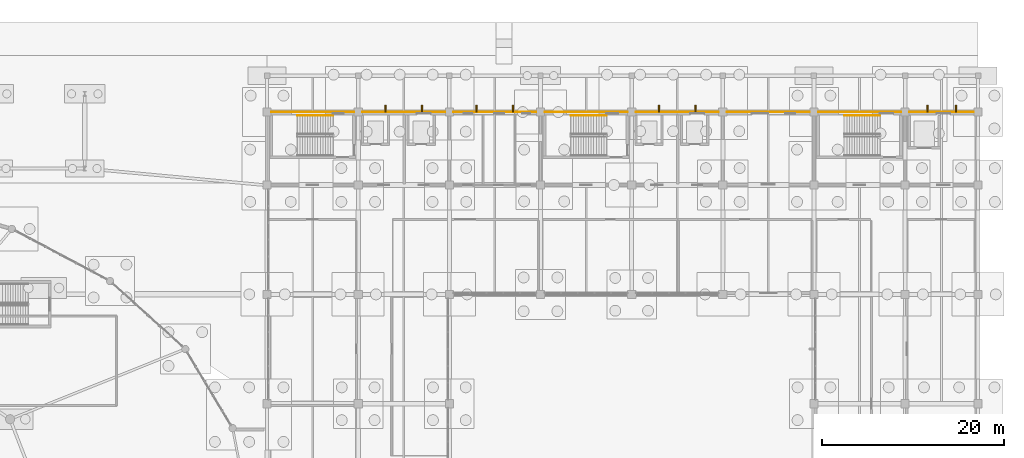
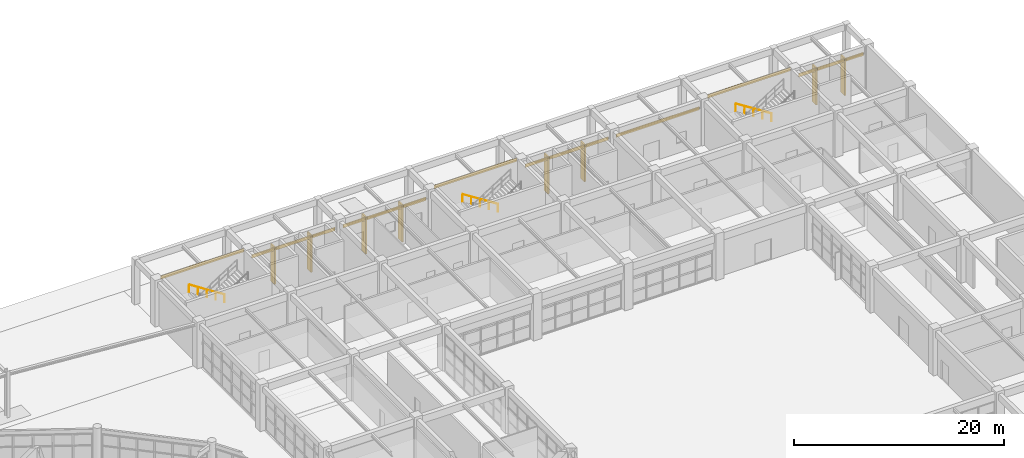
# One storey, part 98 of 99: 8 coverings, 8 shading devices, 3 railings.
"""IFC4 building model written with IfcOpenShell, lengths in metres."""

import ifcopenshell
import ifcopenshell.guid

model = None  # the IFC model being written
_history = None  # IfcOwnerHistory: only IFC2X3 demands one
_inside = {}  # id of a spatial element -> (the spatial element, [elements in it])
_under = {}  # id of a project, library or spatial element -> (it, [spatial elements below it])
_declared = {}  # id of a project -> (the project, [libraries it declares])
_typed = {}  # id of a type object -> (the type object, [elements of that type])
_made_of = {}  # id of a material, layer set ... -> (it, [elements and type objects made of it])


def new_model(schema):
    """Start an empty IFC model of exactly this schema.

    Asked for "IFC4X3", IfcOpenShell would pick the latest addendum, in which some entities
    have other attributes; the version numbers below select the first issue.
    IFC2X3 requires an IfcOwnerHistory on every rooted entity: one is made here for all.
    """
    global model, _history
    if schema == "IFC4X3":
        model = ifcopenshell.file(schema_version=(4, 3, 0, 0))
    else:
        model = ifcopenshell.file(schema=schema)
    _inside.clear()
    _under.clear()
    _declared.clear()
    _typed.clear()
    _made_of.clear()
    _history = None
    if model.schema == "IFC2X3":
        org = make("IfcOrganization", Name="unknown")
        user = make(
            "IfcPersonAndOrganization",
            ThePerson=make("IfcPerson", FamilyName="unknown"),
            TheOrganization=org,
        )
        app = make(
            "IfcApplication",
            ApplicationDeveloper=org,
            Version="unknown",
            ApplicationFullName="unknown",
            ApplicationIdentifier="unknown",
        )
        _history = make(
            "IfcOwnerHistory",
            OwningUser=user,
            OwningApplication=app,
            ChangeAction="ADDED",
            CreationDate=0,
        )
    return model


def make(cls, **values):
    """One entity of the class cls with the attributes given. An attribute that is None is left unset."""
    return model.create_entity(
        cls, **{name: value for name, value in values.items() if value is not None}
    )


def rooted(cls, **values):
    """An entity with a GlobalId (a new one), such as an element, a storey or a relation."""
    return make(cls, GlobalId=ifcopenshell.guid.new(), OwnerHistory=_history, **values)


def si_unit(unit_type, name, prefix=None):
    """IfcSIUnit, for example si_unit("LENGTHUNIT", "METRE", prefix="MILLI")."""
    return make("IfcSIUnit", UnitType=unit_type, Prefix=prefix, Name=name)


def assignment(units):
    """IfcUnitAssignment: the units of a project."""
    return None if units is None else make("IfcUnitAssignment", Units=units)


def point(xyz):
    """IfcCartesianPoint."""
    return None if xyz is None else make("IfcCartesianPoint", Coordinates=xyz)


def direction(xyz):
    """IfcDirection."""
    return None if xyz is None else make("IfcDirection", DirectionRatios=xyz)


def frame(location, z_axis=None, x_axis=None):
    """IfcAxis2Placement3D, a coordinate frame: its origin and axes. An axis left out is left unset."""
    return make(
        "IfcAxis2Placement3D",
        Location=point(location),
        Axis=direction(z_axis),
        RefDirection=direction(x_axis),
    )


def frame_2d(location, x_axis=None):
    """IfcAxis2Placement2D, a coordinate frame in the plane: its origin and x axis."""
    return make(
        "IfcAxis2Placement2D", Location=point(location), RefDirection=direction(x_axis)
    )


def origin():
    """The frame at (0, 0, 0) with its axes left unset."""
    return frame((0.0, 0.0, 0.0))


def origin_2d():
    """The frame at (0, 0) in the plane with its x axis left unset."""
    return frame_2d((0.0, 0.0))


def place(relative_to, where):
    """IfcLocalPlacement: puts the frame where relative to a parent placement (None: the world)."""
    return make(
        "IfcLocalPlacement", PlacementRelTo=relative_to, RelativePlacement=where
    )


def context(
    kind, dimensions, precision=None, world=None, true_north=None, identifier=None
):
    """IfcGeometricRepresentationContext, for example the 3D "Model" context."""
    return make(
        "IfcGeometricRepresentationContext",
        ContextIdentifier=identifier,
        ContextType=kind,
        CoordinateSpaceDimension=dimensions,
        Precision=precision,
        WorldCoordinateSystem=world,
        TrueNorth=true_north,
    )


def subcontext(parent, identifier, kind, view, scale=None):
    """IfcGeometricRepresentationSubContext, for example "Body" below "Model"."""
    return make(
        "IfcGeometricRepresentationSubContext",
        ContextIdentifier=identifier,
        ContextType=kind,
        ParentContext=parent,
        TargetScale=scale,
        TargetView=view,
    )


def project(units=None, contexts=None):
    """IfcProject with its units and contexts."""
    return rooted(
        "IfcProject",
        Name="project",
        RepresentationContexts=contexts,
        UnitsInContext=assignment(units),
    )


def spatial(cls, under=None, at=None, **own):
    """A site, building, storey or space (cls), placed at a placement, below another one or the project."""
    s = rooted(cls, ObjectPlacement=at, **own)
    if under is not None:
        _under.setdefault(under.id(), (under, []))[1].append(s)
    return s


def profile(cls, at=None, kind="AREA", **sizes):
    """A parametric profile (cls). Its sizes go by their IFC names, for example OverallWidth=200.0."""
    return make(cls, ProfileType=kind, Position=at, **sizes)


def rectangle(**sizes):
    """IfcRectangleProfileDef."""
    return profile("IfcRectangleProfileDef", **sizes)


def circle(**sizes):
    """IfcCircleProfileDef."""
    return profile("IfcCircleProfileDef", **sizes)


def extrude(swept, where, along, depth):
    """IfcExtrudedAreaSolid: the profile swept, set in the frame where, extruded along a direction by depth."""
    return make(
        "IfcExtrudedAreaSolid",
        SweptArea=swept,
        Position=where,
        ExtrudedDirection=direction(along),
        Depth=depth,
    )


def shape(context_of_items, identifier, shape_type, items):
    """IfcShapeRepresentation: the items that make up one representation, for example the "Body"."""
    return make(
        "IfcShapeRepresentation",
        ContextOfItems=context_of_items,
        RepresentationIdentifier=identifier,
        RepresentationType=shape_type,
        Items=items,
    )


def material(Name=None, Category=None):
    """IfcMaterial."""
    return make("IfcMaterial", Name=Name, Category=Category)


def layer(
    of_material, thickness, ventilated=None, Name=None, Category=None, Priority=None
):
    """IfcMaterialLayer: one layer of a wall or slab, of a material (None: an air gap)."""
    return make(
        "IfcMaterialLayer",
        Material=of_material,
        LayerThickness=thickness,
        IsVentilated=ventilated,
        Name=Name,
        Category=Category,
        Priority=Priority,
    )


def layer_set(layers, Name=None):
    """IfcMaterialLayerSet."""
    return make("IfcMaterialLayerSet", MaterialLayers=layers, LayerSetName=Name)


def made_of(thing, what):
    """Note that an element or type object is made of a material, layer set ...; save() writes the relation."""
    if what is not None:
        _made_of.setdefault(what.id(), (what, []))[1].append(thing)
    return thing


def type_object(cls, material=None, **own):
    """A type object (cls), such as IfcWallType, which elements share."""
    return made_of(rooted(cls, **own), material)


def element(
    cls,
    number,
    at=None,
    inside=None,
    cuts=None,
    type_object=None,
    material=None,
    context=None,
    identifier="Body",
    shape_type=None,
    held_by="IfcProductDefinitionShape",
    body=None,
    shapes=None,
    **own,
):
    """One element of the class cls, such as IfcWall. Its Tag is "e" and its number.

    at: its placement. inside: the storey or other place that contains it. cuts: it is an
    opening in that element (IfcRelVoidsElement). A single representation is given by context,
    identifier, shape_type and body (its items); several are given by shapes. held_by: the class
    of the entity that holds the representations. save() writes the other relations.
    """
    e = rooted(cls, Tag="e%d" % number, ObjectPlacement=at, **own)
    if body is not None:
        shapes = [shape(context, identifier, shape_type, body)]
    if shapes is not None:
        e.Representation = make(held_by, Representations=shapes)
    if inside is not None:
        _inside.setdefault(inside.id(), (inside, []))[1].append(e)
    if cuts is not None:
        rooted(
            "IfcRelVoidsElement", RelatingBuildingElement=cuts, RelatedOpeningElement=e
        )
    if type_object is not None:
        _typed.setdefault(type_object.id(), (type_object, []))[1].append(e)
    return made_of(e, material)


def aggregate(whole, parts):
    """IfcRelAggregates: a whole, such as a stair, and the parts it consists of."""
    return rooted("IfcRelAggregates", RelatingObject=whole, RelatedObjects=parts)


def save(model, path):
    """Write the relations noted so far, then the file.

    IfcRelAggregates (storeys below a building ...), IfcRelContainedInSpatialStructure (elements
    in a storey), IfcRelDefinesByType, IfcRelAssociatesMaterial and IfcRelDeclares: one each for
    every whole, place, type object, material and project.
    """
    for whole, parts in _under.values():
        aggregate(whole, parts)
    for where, things in _inside.values():
        rooted(
            "IfcRelContainedInSpatialStructure",
            RelatedElements=things,
            RelatingStructure=where,
        )
    for kind, things in _typed.values():
        rooted("IfcRelDefinesByType", RelatedObjects=things, RelatingType=kind)
    for what, things in _made_of.values():
        rooted("IfcRelAssociatesMaterial", RelatedObjects=things, RelatingMaterial=what)
    for by, libraries in _declared.values():
        rooted("IfcRelDeclares", RelatingContext=by, RelatedDefinitions=libraries)
    model.write(path)


model = new_model("IFC4")

# Units and contexts
model_context = context("Model", 3, precision=1e-05, world=origin(), true_north=direction((0.0, 1.0)))
body_context = subcontext(model_context, "Body", "Model", "MODEL_VIEW")
ifc_project = project(units=[si_unit("LENGTHUNIT", "METRE"), si_unit("AREAUNIT", "SQUARE_METRE"), si_unit("VOLUMEUNIT", "CUBIC_METRE"), si_unit("PLANEANGLEUNIT", "RADIAN"), si_unit("MASSUNIT", "GRAM", prefix="KILO")], contexts=[model_context])

# Site, building, storey
site_placement = place(None, origin())
site = spatial("IfcSite", under=ifc_project, at=site_placement, CompositionType="ELEMENT")
building_placement = place(site_placement, origin())
building = spatial("IfcBuilding", under=site, at=building_placement, Name="Kivolera Central Railway Station", CompositionType="ELEMENT")
storey_placement = place(building_placement, origin())
storey = spatial("IfcBuildingStorey", under=building, at=storey_placement, Name="L00", CompositionType="ELEMENT", Elevation=0.0)

# Shading devices
ifc_material_1 = material(Name="Precast concrete C40/50", Category="concrete")
shading_device_type = type_object("IfcShadingDeviceType", Name="BS-FIN-L00", PredefinedType="USERDEFINED", material=ifc_material_1)
for number, where, z_axis, x_axis, name in (
    (1, (130.99609375, 134.366943359375, 0.0), (0.0, 0.0, 1.0), (1.0, 0.0, 0.0), "L00 North Brise-Soleil Fin 2.1"),
    (2, (135.00390625, 134.366943359375, 0.0), (0.0, 0.0, 1.0), (1.0, 0.0, 0.0), "L00 North Brise-Soleil Fin 2.2"),
    (3, (140.99609375, 134.366943359375, 0.0), (0.0, 0.0, 1.0), (1.0, 0.0, 0.0), "L00 North Brise-Soleil Fin 3.1"),
    (4, (145.00390625, 134.366943359375, 0.0), (0.0, 0.0, 1.0), (1.0, 0.0, 0.0), "L00 North Brise-Soleil Fin 3.2"),
    (5, (160.99609375, 134.366943359375, 0.0), (0.0, 0.0, 1.0), (1.0, 0.0, 0.0), "L00 North Brise-Soleil Fin 5.1"),
    (6, (165.00390625, 134.366943359375, 0.0), (0.0, 0.0, 1.0), (1.0, 0.0, 0.0), "L00 North Brise-Soleil Fin 5.2"),
    (7, (190.43603515625, 134.366943359375, 0.0), (0.0, 0.0, 1.0), (1.0, 0.0, 0.0), "L00 North Brise-Soleil Fin 8.1"),
    (8, (193.56396484375, 134.366943359375, 0.0), (0.0, 0.0, 1.0), (1.0, 0.0, 0.0), "L00 North Brise-Soleil Fin 8.2"),
):
    element("IfcShadingDevice", number, at=place(storey_placement, frame(where, z_axis=z_axis, x_axis=x_axis)), inside=storey, type_object=shading_device_type, Name=name, ObjectType="FIN", PredefinedType="USERDEFINED", context=body_context, shape_type="SweptSolid", body=[
        extrude(rectangle(XDim=0.159912109375, YDim=0.75, at=origin_2d()), origin(), (0.0, 0.0, 1.0), 4.300048828125),
    ])

# Coverings
ifc_material_2 = material(Name="Terracotta clay tile", Category="masonry")
ifc_layer_1 = layer(ifc_material_2, 0.044921875, Name="Terracotta clay tile")
ifc_layer_set_1 = layer_set([ifc_layer_1], Name="Terracotta clay tile")
covering_type = type_object("IfcCoveringType", Name="COV-TERRACOTTA-45", PredefinedType="CLADDING", material=ifc_layer_set_1)
covering_1_placement = place(storey_placement, frame((118.445068359375, 134.02001953125, 4.969970703125), z_axis=(0.0, 0.0, 1.0), x_axis=(1.0, 0.0, 0.0)))
element("IfcCovering", 9, at=covering_1_placement, inside=storey, type_object=covering_type, Name="L00 North Terracotta Spandrel 1", PredefinedType="CLADDING", context=body_context, shape_type="SweptSolid", body=[
    extrude(rectangle(XDim=9.10986328125, YDim=0.044921875, at=frame_2d((4.554931640625, 0.0))), origin(), (0.0, 0.0, 1.0), 0.400146484375),
])
for number, where, z_axis, x_axis, name in (
    (10, (128.445068359375, 134.02001953125, 3.927978515625), (0.0, 0.0, 1.0), (1.0, 0.0, 0.0), "L00 North Terracotta Spandrel 2"),
    (11, (138.445068359375, 134.02001953125, 3.927978515625), (0.0, 0.0, 1.0), (1.0, 0.0, 0.0), "L00 North Terracotta Spandrel 3"),
):
    element("IfcCovering", number, at=place(storey_placement, frame(where, z_axis=z_axis, x_axis=x_axis)), inside=storey, type_object=covering_type, Name=name, PredefinedType="CLADDING", context=body_context, shape_type="SweptSolid", body=[
        extrude(rectangle(XDim=9.10986328125, YDim=0.044921875, at=frame_2d((4.554931640625, 0.0))), origin(), (0.0, 0.0, 1.0), 0.39990234375),
    ])
covering_2_placement = place(storey_placement, frame((148.445068359375, 134.02001953125, 4.969970703125), z_axis=(0.0, 0.0, 1.0), x_axis=(1.0, 0.0, 0.0)))
element("IfcCovering", 12, at=covering_2_placement, inside=storey, type_object=covering_type, Name="L00 North Terracotta Spandrel 4", PredefinedType="CLADDING", context=body_context, shape_type="SweptSolid", body=[
    extrude(rectangle(XDim=9.10986328125, YDim=0.044921875, at=frame_2d((4.554931640625, 0.0))), origin(), (0.0, 0.0, 1.0), 0.400146484375),
])
for number, where, z_axis, x_axis, name in (
    (13, (158.445068359375, 134.02001953125, 3.927978515625), (0.0, 0.0, 1.0), (1.0, 0.0, 0.0), "L00 North Terracotta Spandrel 5"),
    (14, (168.445068359375, 134.02001953125, 3.927978515625), (0.0, 0.0, 1.0), (1.0, 0.0, 0.0), "L00 North Terracotta Spandrel 6"),
):
    element("IfcCovering", number, at=place(storey_placement, frame(where, z_axis=z_axis, x_axis=x_axis)), inside=storey, type_object=covering_type, Name=name, PredefinedType="CLADDING", context=body_context, shape_type="SweptSolid", body=[
        extrude(rectangle(XDim=9.10986328125, YDim=0.044921875, at=frame_2d((4.554931640625, 0.0))), origin(), (0.0, 0.0, 1.0), 0.39990234375),
    ])
covering_3_placement = place(storey_placement, frame((178.445068359375, 134.02001953125, 4.969970703125), z_axis=(0.0, 0.0, 1.0), x_axis=(1.0, 0.0, 0.0)))
element("IfcCovering", 15, at=covering_3_placement, inside=storey, type_object=covering_type, Name="L00 North Terracotta Spandrel 7", PredefinedType="CLADDING", context=body_context, shape_type="SweptSolid", body=[
    extrude(rectangle(XDim=9.10986328125, YDim=0.044921875, at=frame_2d((4.554931640625, 0.0))), origin(), (0.0, 0.0, 1.0), 0.400146484375),
])
covering_4_placement = place(storey_placement, frame((188.445068359375, 134.02001953125, 3.927978515625), z_axis=(0.0, 0.0, 1.0), x_axis=(1.0, 0.0, 0.0)))
element("IfcCovering", 16, at=covering_4_placement, inside=storey, type_object=covering_type, Name="L00 North Terracotta Spandrel 8", PredefinedType="CLADDING", context=body_context, shape_type="SweptSolid", body=[
    extrude(rectangle(XDim=7.10986328125, YDim=0.044921875, at=frame_2d((3.554931640625, 0.0))), origin(), (0.0, 0.0, 1.0), 0.39990234375),
])

# Railings
ifc_material_3 = material(Name="Anodised aluminium", Category="aluminium")
ifc_layer_2 = layer(ifc_material_3, 0.048095703125, Name="Anodised aluminium")
ifc_layer_set_2 = layer_set([ifc_layer_2], Name="Anodised aluminium")
railing_type = type_object("IfcRailingType", Name="RL-STAIR-HAND", PredefinedType="HANDRAIL", material=ifc_layer_set_2)
for number, where, name in (
    (17, (125.239990234375, 133.6298828125, 0.179931640625), "L00 ST1 stair handrail 1"),
    (18, (155.239990234375, 133.6298828125, 0.179931640625), "L00 ST2 stair handrail 1"),
    (19, (185.239990234375, 133.6298828125, 0.179931640625), "L00 ST3 stair handrail 1"),
):
    element("IfcRailing", number, at=place(storey_placement, frame(where)), inside=storey, type_object=railing_type, Name=name, PredefinedType="HANDRAIL", context=body_context, shape_type="SweptSolid", body=[
        extrude(circle(Radius=0.02392578125, at=origin_2d()), frame((0.0, 0.0, 0.8759765625), z_axis=(-0.841171666519, 0.0, 0.540768182723), x_axis=(0.0, -1.0, 0.0)), (0.0, 0.0, 1.0), 4.66015625),
        extrude(circle(Radius=0.02099609375, at=origin_2d()), origin(), (0.0, 0.0, 1.0), 0.851806640625),
        extrude(circle(Radius=0.02099609375, at=origin_2d()), frame((-0.97998046875, 0.0, 0.6298828125)), (0.0, 0.0, 1.0), 0.851806640625),
        extrude(circle(Radius=0.02099609375, at=origin_2d()), frame((-1.9599609375, 0.0, 1.260009765625)), (0.0, 0.0, 1.0), 0.851806640625),
        extrude(circle(Radius=0.02099609375, at=origin_2d()), frame((-2.93994140625, 0.0, 1.89013671875)), (0.0, 0.0, 1.0), 0.851806640625),
        extrude(circle(Radius=0.02099609375, at=origin_2d()), frame((-3.919921875, 0.0, 2.52001953125)), (0.0, 0.0, 1.0), 0.851806640625),
    ])

save(model, "model.ifc")
